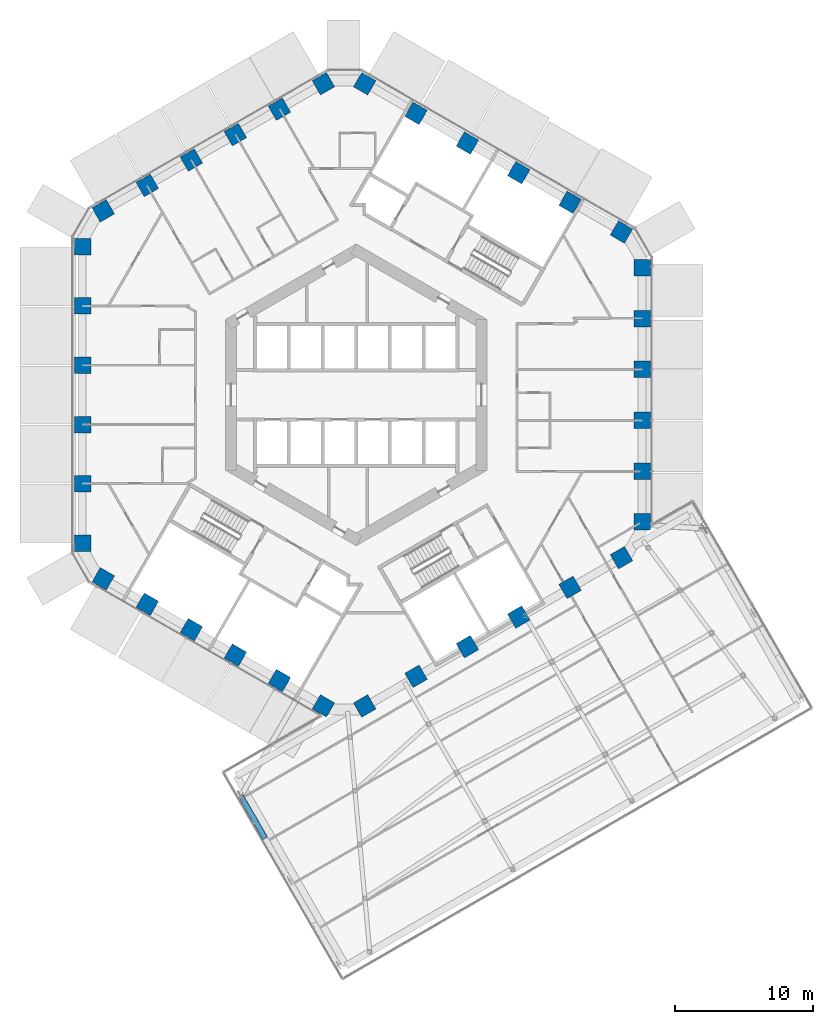
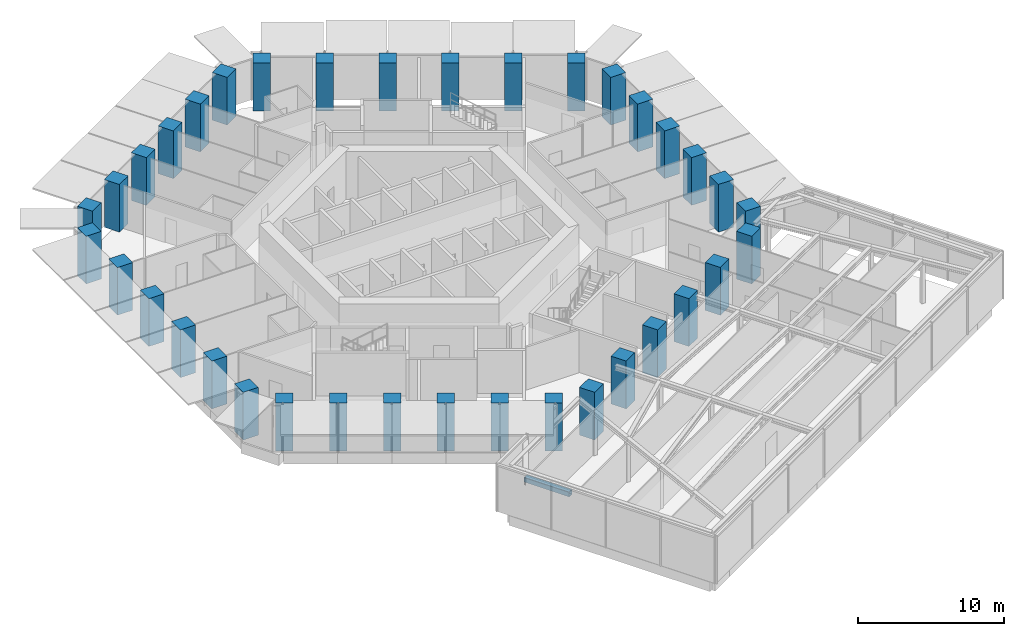
# One storey, part 1 of 28: 36 columns, 1 member.
"""IFC4 building model written with IfcOpenShell, lengths in metres."""

from ifc_helpers import new_model, si_unit, direction, frame, origin, origin_2d, place, context, subcontext, project, spatial, rectangle, hollow_rectangle, extrude, material, material_profile, profile_set, type_object, element, save


model = new_model("IFC4")

# Units and contexts
model_context = context("Model", 3, precision=1e-05, world=origin(), true_north=direction((0.0, 1.0)))
body_context = subcontext(model_context, "Body", "Model", "MODEL_VIEW")
ifc_project = project(units=[si_unit("LENGTHUNIT", "METRE"), si_unit("AREAUNIT", "SQUARE_METRE"), si_unit("VOLUMEUNIT", "CUBIC_METRE"), si_unit("PLANEANGLEUNIT", "RADIAN"), si_unit("MASSUNIT", "GRAM", prefix="KILO")], contexts=[model_context])

# Site, building, storey
site_placement = place(None, origin())
site = spatial("IfcSite", under=ifc_project, at=site_placement, CompositionType="ELEMENT")
building_placement = place(site_placement, origin())
building = spatial("IfcBuilding", under=site, at=building_placement, Name="Ayvan Gate Tower", CompositionType="ELEMENT")
storey_placement = place(building_placement, frame((0.0, 0.0, 74.300048828125)))
storey = spatial("IfcBuildingStorey", under=building, at=storey_placement, Name="L19", CompositionType="ELEMENT", Elevation=74.300048828125)

# Columns
ifc_material_1 = material(Name="Concrete C70/85", Category="concrete")
ifc_material_profile_1 = material_profile(ifc_material_1, rectangle(XDim=1.199951171875, YDim=1.199951171875, at=origin_2d()), Name="RC 1200x1200")
ifc_profile_set_1 = profile_set([ifc_material_profile_1], Name="Concrete C70/85")
column_type = type_object("IfcColumnType", Name="Tube column RC 1200x1200 C70/85", PredefinedType="COLUMN", material=ifc_profile_set_1)
for number, where, z_axis, x_axis, name in (
    (1, (20.78466796875, -9.244140625, 0.0), (0.0, 0.0, 1.0), (1.0, 0.0, 0.0), "C-T0-0-L19"),
    (2, (20.78466796875, -5.54638671875, 0.0), (0.0, 0.0, 1.0), (1.0, 0.0, 0.0), "C-T0-1-L19"),
    (3, (20.78466796875, -1.848876953125, 0.0), (0.0, 0.0, 1.0), (1.0, 0.0, 0.0), "C-T0-2-L19"),
    (4, (20.78466796875, 1.848876953125, 0.0), (0.0, 0.0, 1.0), (1.0, 0.0, 0.0), "C-T0-3-L19"),
    (5, (20.78466796875, 5.54638671875, 0.0), (0.0, 0.0, 1.0), (1.0, 0.0, 0.0), "C-T0-4-L19"),
    (6, (20.78466796875, 9.244140625, 0.0), (0.0, 0.0, 1.0), (1.0, 0.0, 0.0), "C-T0-5-L19"),
    (7, (19.28466796875, 11.842041015625, 0.0), (0.0, 0.0, 1.0), (0.5, 0.866025403784, 0.0), "C-T1-0-L19"),
    (8, (15.55029296875, 13.998046875, 0.0), (0.0, 0.0, 1.0), (0.5, 0.866025403784, 0.0), "C-T1-1-L19"),
    (9, (11.816162109375, 16.154052734375, 0.0), (0.0, 0.0, 1.0), (0.5, 0.866025403784, 0.0), "C-T1-2-L19"),
    (10, (8.081787109375, 18.31005859375, 0.0), (0.0, 0.0, 1.0), (0.5, 0.866025403784, 0.0), "C-T1-3-L19"),
    (11, (4.34765625, 20.466064453125, 0.0), (0.0, 0.0, 1.0), (0.5, 0.866025403784, 0.0), "C-T1-4-L19"),
    (12, (0.61328125, 22.6220703125, 0.0), (0.0, 0.0, 1.0), (0.5, 0.866025403784, 0.0), "C-T1-5-L19"),
    (13, (-2.38671875, 22.6220703125, 0.0), (0.0, 0.0, 1.0), (-0.5, 0.866025403784, 0.0), "C-T2-0-L19"),
    (14, (-5.5888671875, 20.773193359375, 0.0), (0.0, 0.0, 1.0), (-0.5, 0.866025403784, 0.0), "C-T2-1-L19"),
    (15, (-8.791259765625, 18.92431640625, 0.0), (0.0, 0.0, 1.0), (-0.5, 0.866025403784, 0.0), "C-T2-2-L19"),
    (16, (-11.993408203125, 17.07568359375, 0.0), (0.0, 0.0, 1.0), (-0.5, 0.866025403784, 0.0), "C-T2-3-L19"),
    (17, (-15.195556640625, 15.226806640625, 0.0), (0.0, 0.0, 1.0), (-0.5, 0.866025403784, 0.0), "C-T2-4-L19"),
    (18, (-18.39794921875, 13.3779296875, 0.0), (0.0, 0.0, 1.0), (-0.5, 0.866025403784, 0.0), "C-T2-5-L19"),
    (19, (-19.89794921875, 10.77978515625, 0.0), (0.0, 0.0, 1.0), (-1.0, 0.0, 0.0), "C-T3-0-L19"),
    (20, (-19.89794921875, 6.468017578125, 0.0), (0.0, 0.0, 1.0), (-1.0, 0.0, 0.0), "C-T3-1-L19"),
    (21, (-19.89794921875, 2.156005859375, 0.0), (0.0, 0.0, 1.0), (-1.0, 0.0, 0.0), "C-T3-2-L19"),
    (22, (-19.89794921875, -2.156005859375, 0.0), (0.0, 0.0, 1.0), (-1.0, 0.0, 0.0), "C-T3-3-L19"),
    (23, (-19.89794921875, -6.468017578125, 0.0), (0.0, 0.0, 1.0), (-1.0, 0.0, 0.0), "C-T3-4-L19"),
    (24, (-19.89794921875, -10.77978515625, 0.0), (0.0, 0.0, 1.0), (-1.0, 0.0, 0.0), "C-T3-5-L19"),
    (25, (-18.39794921875, -13.3779296875, 0.0), (0.0, 0.0, 1.0), (-0.5, -0.866025403784, 0.0), "C-T4-0-L19"),
    (26, (-15.195556640625, -15.226806640625, 0.0), (0.0, 0.0, 1.0), (-0.5, -0.866025403784, 0.0), "C-T4-1-L19"),
    (27, (-11.993408203125, -17.07568359375, 0.0), (0.0, 0.0, 1.0), (-0.5, -0.866025403784, 0.0), "C-T4-2-L19"),
    (28, (-8.791259765625, -18.92431640625, 0.0), (0.0, 0.0, 1.0), (-0.5, -0.866025403784, 0.0), "C-T4-3-L19"),
    (29, (-5.5888671875, -20.773193359375, 0.0), (0.0, 0.0, 1.0), (-0.5, -0.866025403784, 0.0), "C-T4-4-L19"),
    (30, (-2.38671875, -22.6220703125, 0.0), (0.0, 0.0, 1.0), (-0.5, -0.866025403784, 0.0), "C-T4-5-L19"),
    (31, (0.61328125, -22.6220703125, 0.0), (0.0, 0.0, 1.0), (0.5, -0.866025403784, 0.0), "C-T5-0-L19"),
    (32, (4.34765625, -20.466064453125, 0.0), (0.0, 0.0, 1.0), (0.5, -0.866025403784, 0.0), "C-T5-1-L19"),
    (33, (8.081787109375, -18.31005859375, 0.0), (0.0, 0.0, 1.0), (0.5, -0.866025403784, 0.0), "C-T5-2-L19"),
    (34, (11.816162109375, -16.154052734375, 0.0), (0.0, 0.0, 1.0), (0.5, -0.866025403784, 0.0), "C-T5-3-L19"),
    (35, (15.55029296875, -13.998046875, 0.0), (0.0, 0.0, 1.0), (0.5, -0.866025403784, 0.0), "C-T5-4-L19"),
    (36, (19.28466796875, -11.842041015625, 0.0), (0.0, 0.0, 1.0), (0.5, -0.866025403784, 0.0), "C-T5-5-L19"),
):
    element("IfcColumn", number, at=place(storey_placement, frame(where, z_axis=z_axis, x_axis=x_axis)), inside=storey, type_object=column_type, Name=name, PredefinedType="COLUMN", context=body_context, shape_type="SweptSolid", body=[
        extrude(rectangle(XDim=1.199951171875, YDim=1.199951171875, at=origin_2d()), origin(), (0.0, 0.0, 1.0), 4.0),
    ])

# Member
ifc_material_2 = material(Name="Steel S460NH", Category="steel")
ifc_material_profile_2 = material_profile(ifc_material_2, hollow_rectangle(XDim=0.39990234375, YDim=0.39990234375, WallThickness=0.02001953125, InnerFilletRadius=0.02001953125, OuterFilletRadius=0.030029296875, at=origin_2d()), Name="RHS 400x400x20")
ifc_profile_set_2 = profile_set([ifc_material_profile_2], Name="Steel S460NH")
member_type = type_object("IfcMemberType", Name="Sky bar truss brace B1 RHS 400x400x20", PredefinedType="BRACE", material=ifc_profile_set_2)
member_placement = place(storey_placement, frame((-8.390869140625, -29.1767578125, 3.349853515625), z_axis=(0.500022077904, -0.866012656725, 0.0), x_axis=(0.866012656725, 0.500022077904, 0.0)))
element("IfcMember", 37, at=member_placement, inside=storey, type_object=member_type, Name="SBX1-B-TC-2", PredefinedType="CHORD", context=body_context, shape_type="SweptSolid", body=[
    extrude(hollow_rectangle(XDim=0.39990234375, YDim=0.39990234375, WallThickness=0.02001953125, InnerFilletRadius=0.02001953125, OuterFilletRadius=0.030029296875, at=origin_2d()), origin(), (0.0, 0.0, 1.0), 3.550048828125),
])

save(model, "model.ifc")
